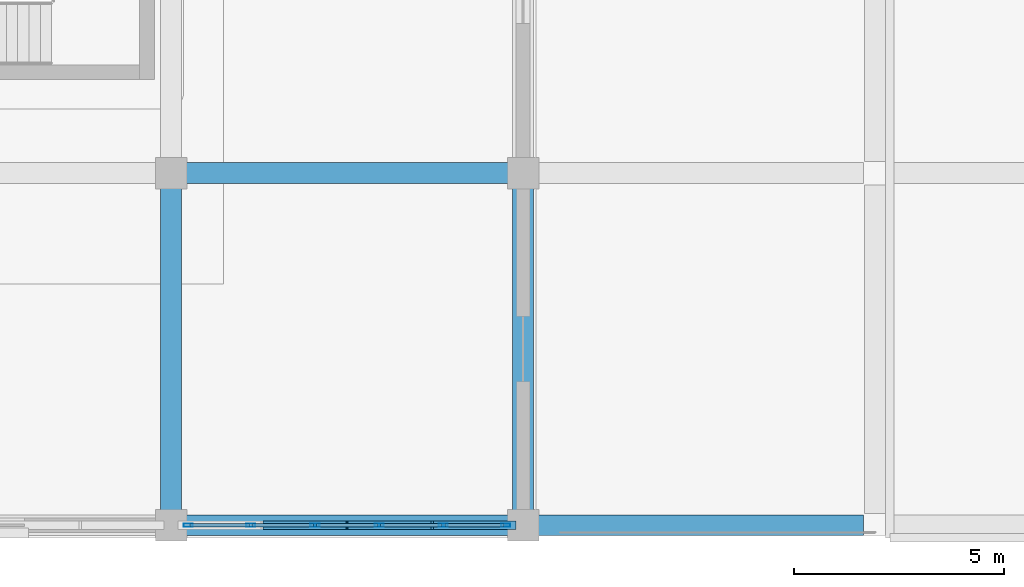
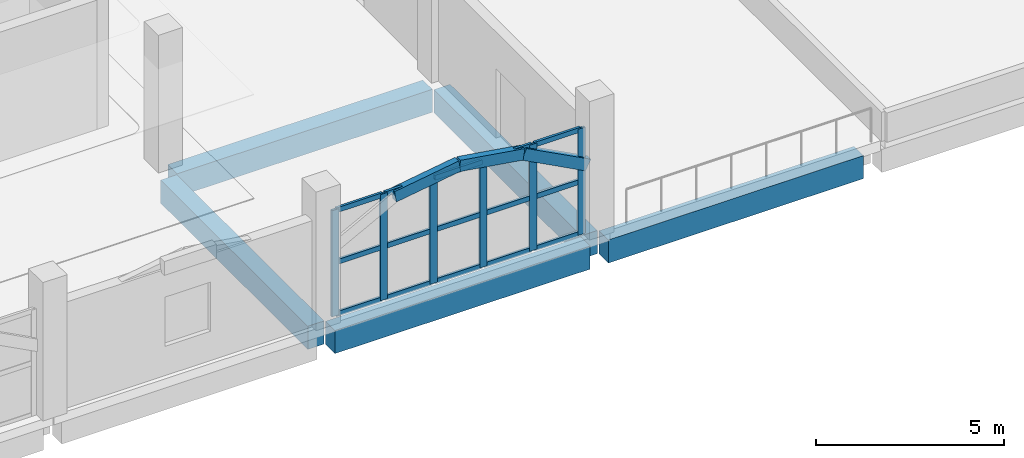
# One storey, part 10 of 34: 24 members, 5 beams, 1 element without a shape of its own.
"""IFC4 building model written with IfcOpenShell, lengths in metres."""

from ifc_helpers import new_model, si_unit, direction, frame, origin, origin_2d, place, context, subcontext, project, spatial, rectangle, hollow_rectangle, extrude, material, layer, layer_set, material_profile, profile_set, type_object, element, aggregate, save


model = new_model("IFC4")

# Units and contexts
model_context = context("Model", 3, precision=1e-05, world=origin(), true_north=direction((0.0, 1.0)))
body_context = subcontext(model_context, "Body", "Model", "MODEL_VIEW")
ifc_project = project(units=[si_unit("LENGTHUNIT", "METRE"), si_unit("AREAUNIT", "SQUARE_METRE"), si_unit("VOLUMEUNIT", "CUBIC_METRE"), si_unit("PLANEANGLEUNIT", "RADIAN"), si_unit("MASSUNIT", "GRAM", prefix="KILO")], contexts=[model_context])

# Site, building, storey
site_placement = place(None, origin())
site = spatial("IfcSite", under=ifc_project, at=site_placement, CompositionType="ELEMENT")
building_placement = place(site_placement, origin())
building = spatial("IfcBuilding", under=site, at=building_placement, Name="Xazarin Passage Department Store", CompositionType="ELEMENT")
storey_placement = place(building_placement, frame((0.0, 0.0, 18.89990234375)))
storey = spatial("IfcBuildingStorey", under=building, at=storey_placement, Name="L04", CompositionType="ELEMENT", Elevation=18.89990234375)

# Curtain wall, members
ifc_material_1 = material(Name="Bronze anodised aluminium", Category="aluminium")
ifc_layer = layer(ifc_material_1, 0.199951171875)
ifc_layer_set = layer_set([ifc_layer], Name="Bronze anodised aluminium")
curtain_wall_type = type_object("IfcCurtainWallType", Name="ARC-CW-VIT2", PredefinedType="NOTDEFINED", material=ifc_layer_set)
curtain_wall_placement = place(storey_placement, origin())
curtain_wall = element("IfcCurtainWall", 1, at=curtain_wall_placement, inside=storey, type_object=curtain_wall_type, Name="L04 V1 Curtain Wall 069", PredefinedType="NOTDEFINED")
ifc_material_profile_1 = material_profile(ifc_material_1, hollow_rectangle(XDim=0.074951171875, YDim=0.219970703125, WallThickness=0.0048828125, at=origin_2d()), Name="ALU 75x220")
ifc_profile_set_1 = profile_set([ifc_material_profile_1], Name="Bronze anodised aluminium")
member_type_1 = type_object("IfcMemberType", Name="ARC-CWM-75x220", PredefinedType="MULLION", material=ifc_profile_set_1)
member_1_placement = place(storey_placement, frame((34.012451171875, 68.0, 0.0), z_axis=(0.0, 0.0, 1.0), x_axis=(0.0, 1.0, 0.0)))
member_1 = element("IfcMember", 2, at=member_1_placement, type_object=member_type_1, Name="CW2 mullion 1", PredefinedType="MULLION", context=body_context, shape_type="SweptSolid", body=[
    extrude(hollow_rectangle(XDim=0.074951171875, YDim=0.219970703125, WallThickness=0.0048828125, at=origin_2d()), origin(), (0.0, 0.0, 1.0), 3.4501953125),
])
member_2_placement = place(storey_placement, frame((35.5048828125, 68.0, 0.0), z_axis=(0.0, 0.0, 1.0), x_axis=(0.0, 1.0, 0.0)))
member_2 = element("IfcMember", 3, at=member_2_placement, type_object=member_type_1, Name="CW2 mullion 2", PredefinedType="MULLION", context=body_context, shape_type="SweptSolid", body=[
    extrude(hollow_rectangle(XDim=0.074951171875, YDim=0.219970703125, WallThickness=0.0048828125, at=origin_2d()), origin(), (0.0, 0.0, 1.0), 3.4501953125),
])
member_3_placement = place(storey_placement, frame((37.034912109375, 68.0, 0.0), z_axis=(0.0, 0.0, 1.0), x_axis=(0.0, 1.0, 0.0)))
member_3 = element("IfcMember", 4, at=member_3_placement, type_object=member_type_1, Name="CW2 mullion 3", PredefinedType="MULLION", context=body_context, shape_type="SweptSolid", body=[
    extrude(hollow_rectangle(XDim=0.074951171875, YDim=0.219970703125, WallThickness=0.0048828125, at=origin_2d()), origin(), (0.0, 0.0, 1.0), 3.4501953125),
])
member_4_placement = place(storey_placement, frame((38.56494140625, 68.0, 0.0), z_axis=(0.0, 0.0, 1.0), x_axis=(0.0, 1.0, 0.0)))
member_4 = element("IfcMember", 5, at=member_4_placement, type_object=member_type_1, Name="CW2 mullion 4", PredefinedType="MULLION", context=body_context, shape_type="SweptSolid", body=[
    extrude(hollow_rectangle(XDim=0.074951171875, YDim=0.219970703125, WallThickness=0.0048828125, at=origin_2d()), origin(), (0.0, 0.0, 1.0), 3.4501953125),
])
member_5_placement = place(storey_placement, frame((40.094970703125, 68.0, 0.0), z_axis=(0.0, 0.0, 1.0), x_axis=(0.0, 1.0, 0.0)))
member_5 = element("IfcMember", 6, at=member_5_placement, type_object=member_type_1, Name="CW2 mullion 5", PredefinedType="MULLION", context=body_context, shape_type="SweptSolid", body=[
    extrude(hollow_rectangle(XDim=0.074951171875, YDim=0.219970703125, WallThickness=0.0048828125, at=origin_2d()), origin(), (0.0, 0.0, 1.0), 3.4501953125),
])
member_6_placement = place(storey_placement, frame((41.58740234375, 68.0, 0.0), z_axis=(0.0, 0.0, 1.0), x_axis=(0.0, 1.0, 0.0)))
member_6 = element("IfcMember", 7, at=member_6_placement, type_object=member_type_1, Name="CW2 mullion 6", PredefinedType="MULLION", context=body_context, shape_type="SweptSolid", body=[
    extrude(hollow_rectangle(XDim=0.074951171875, YDim=0.219970703125, WallThickness=0.0048828125, at=origin_2d()), origin(), (0.0, 0.0, 1.0), 3.4501953125),
])
ifc_material_profile_2 = material_profile(ifc_material_1, hollow_rectangle(XDim=0.074951171875, YDim=0.159912109375, WallThickness=0.00439453125, at=origin_2d()), Name="ALU 75x160")
ifc_profile_set_2 = profile_set([ifc_material_profile_2], Name="Bronze anodised aluminium")
member_type_2 = type_object("IfcMemberType", Name="ARC-CWT-75x160", PredefinedType="USERDEFINED", material=ifc_profile_set_2)
member_7_placement = place(storey_placement, frame((34.050048828125, 68.0, 0.03759765625), z_axis=(1.0, 0.0, 0.0), x_axis=(0.0, 1.0, 0.0)))
member_7 = element("IfcMember", 8, at=member_7_placement, type_object=member_type_2, Name="CW2 transom 1.1", ObjectType="TRANSOM", PredefinedType="USERDEFINED", context=body_context, shape_type="SweptSolid", body=[
    extrude(hollow_rectangle(XDim=0.074951171875, YDim=0.159912109375, WallThickness=0.00439453125, at=origin_2d()), origin(), (0.0, 0.0, 1.0), 1.41748046875),
])
member_8_placement = place(storey_placement, frame((34.050048828125, 68.0, 1.72509765625), z_axis=(1.0, 0.0, 0.0), x_axis=(0.0, 1.0, 0.0)))
member_8 = element("IfcMember", 9, at=member_8_placement, type_object=member_type_2, Name="CW2 transom 1.2", ObjectType="TRANSOM", PredefinedType="USERDEFINED", context=body_context, shape_type="SweptSolid", body=[
    extrude(hollow_rectangle(XDim=0.074951171875, YDim=0.159912109375, WallThickness=0.00439453125, at=origin_2d()), origin(), (0.0, 0.0, 1.0), 1.41748046875),
])
member_9_placement = place(storey_placement, frame((34.050048828125, 68.0, 3.41259765625), z_axis=(1.0, 0.0, 0.0), x_axis=(0.0, 1.0, 0.0)))
member_9 = element("IfcMember", 10, at=member_9_placement, type_object=member_type_2, Name="CW2 transom 1.3", ObjectType="TRANSOM", PredefinedType="USERDEFINED", context=body_context, shape_type="SweptSolid", body=[
    extrude(hollow_rectangle(XDim=0.074951171875, YDim=0.159912109375, WallThickness=0.00439453125, at=origin_2d()), origin(), (0.0, 0.0, 1.0), 1.41748046875),
])
member_10_placement = place(storey_placement, frame((35.54248046875, 68.0, 0.03759765625), z_axis=(1.0, 0.0, 0.0), x_axis=(0.0, 1.0, 0.0)))
member_10 = element("IfcMember", 11, at=member_10_placement, type_object=member_type_2, Name="CW2 transom 2.1", ObjectType="TRANSOM", PredefinedType="USERDEFINED", context=body_context, shape_type="SweptSolid", body=[
    extrude(hollow_rectangle(XDim=0.074951171875, YDim=0.159912109375, WallThickness=0.00439453125, at=origin_2d()), origin(), (0.0, 0.0, 1.0), 1.455078125),
])
member_11_placement = place(storey_placement, frame((35.54248046875, 68.0, 1.72509765625), z_axis=(1.0, 0.0, 0.0), x_axis=(0.0, 1.0, 0.0)))
member_11 = element("IfcMember", 12, at=member_11_placement, type_object=member_type_2, Name="CW2 transom 2.2", ObjectType="TRANSOM", PredefinedType="USERDEFINED", context=body_context, shape_type="SweptSolid", body=[
    extrude(hollow_rectangle(XDim=0.074951171875, YDim=0.159912109375, WallThickness=0.00439453125, at=origin_2d()), origin(), (0.0, 0.0, 1.0), 1.455078125),
])
member_12_placement = place(storey_placement, frame((35.54248046875, 68.0, 3.41259765625), z_axis=(1.0, 0.0, 0.0), x_axis=(0.0, 1.0, 0.0)))
member_12 = element("IfcMember", 13, at=member_12_placement, type_object=member_type_2, Name="CW2 transom 2.3", ObjectType="TRANSOM", PredefinedType="USERDEFINED", context=body_context, shape_type="SweptSolid", body=[
    extrude(hollow_rectangle(XDim=0.074951171875, YDim=0.159912109375, WallThickness=0.00439453125, at=origin_2d()), origin(), (0.0, 0.0, 1.0), 1.455078125),
])
member_13_placement = place(storey_placement, frame((37.072509765625, 68.0, 0.03759765625), z_axis=(1.0, 0.0, 0.0), x_axis=(0.0, 1.0, 0.0)))
member_13 = element("IfcMember", 14, at=member_13_placement, type_object=member_type_2, Name="CW2 transom 3.1", ObjectType="TRANSOM", PredefinedType="USERDEFINED", context=body_context, shape_type="SweptSolid", body=[
    extrude(hollow_rectangle(XDim=0.074951171875, YDim=0.159912109375, WallThickness=0.00439453125, at=origin_2d()), origin(), (0.0, 0.0, 1.0), 1.455078125),
])
member_14_placement = place(storey_placement, frame((37.072509765625, 68.0, 1.72509765625), z_axis=(1.0, 0.0, 0.0), x_axis=(0.0, 1.0, 0.0)))
member_14 = element("IfcMember", 15, at=member_14_placement, type_object=member_type_2, Name="CW2 transom 3.2", ObjectType="TRANSOM", PredefinedType="USERDEFINED", context=body_context, shape_type="SweptSolid", body=[
    extrude(hollow_rectangle(XDim=0.074951171875, YDim=0.159912109375, WallThickness=0.00439453125, at=origin_2d()), origin(), (0.0, 0.0, 1.0), 1.455078125),
])
member_15_placement = place(storey_placement, frame((37.072509765625, 68.0, 3.41259765625), z_axis=(1.0, 0.0, 0.0), x_axis=(0.0, 1.0, 0.0)))
member_15 = element("IfcMember", 16, at=member_15_placement, type_object=member_type_2, Name="CW2 transom 3.3", ObjectType="TRANSOM", PredefinedType="USERDEFINED", context=body_context, shape_type="SweptSolid", body=[
    extrude(hollow_rectangle(XDim=0.074951171875, YDim=0.159912109375, WallThickness=0.00439453125, at=origin_2d()), origin(), (0.0, 0.0, 1.0), 1.455078125),
])
member_16_placement = place(storey_placement, frame((38.6025390625, 68.0, 0.03759765625), z_axis=(1.0, 0.0, 0.0), x_axis=(0.0, 1.0, 0.0)))
member_16 = element("IfcMember", 17, at=member_16_placement, type_object=member_type_2, Name="CW2 transom 4.1", ObjectType="TRANSOM", PredefinedType="USERDEFINED", context=body_context, shape_type="SweptSolid", body=[
    extrude(hollow_rectangle(XDim=0.074951171875, YDim=0.159912109375, WallThickness=0.00439453125, at=origin_2d()), origin(), (0.0, 0.0, 1.0), 1.455078125),
])
member_17_placement = place(storey_placement, frame((38.6025390625, 68.0, 1.72509765625), z_axis=(1.0, 0.0, 0.0), x_axis=(0.0, 1.0, 0.0)))
member_17 = element("IfcMember", 18, at=member_17_placement, type_object=member_type_2, Name="CW2 transom 4.2", ObjectType="TRANSOM", PredefinedType="USERDEFINED", context=body_context, shape_type="SweptSolid", body=[
    extrude(hollow_rectangle(XDim=0.074951171875, YDim=0.159912109375, WallThickness=0.00439453125, at=origin_2d()), origin(), (0.0, 0.0, 1.0), 1.455078125),
])
member_18_placement = place(storey_placement, frame((38.6025390625, 68.0, 3.41259765625), z_axis=(1.0, 0.0, 0.0), x_axis=(0.0, 1.0, 0.0)))
member_18 = element("IfcMember", 19, at=member_18_placement, type_object=member_type_2, Name="CW2 transom 4.3", ObjectType="TRANSOM", PredefinedType="USERDEFINED", context=body_context, shape_type="SweptSolid", body=[
    extrude(hollow_rectangle(XDim=0.074951171875, YDim=0.159912109375, WallThickness=0.00439453125, at=origin_2d()), origin(), (0.0, 0.0, 1.0), 1.455078125),
])
member_19_placement = place(storey_placement, frame((40.132568359375, 68.0, 0.03759765625), z_axis=(1.0, 0.0, 0.0), x_axis=(0.0, 1.0, 0.0)))
member_19 = element("IfcMember", 20, at=member_19_placement, type_object=member_type_2, Name="CW2 transom 5.1", ObjectType="TRANSOM", PredefinedType="USERDEFINED", context=body_context, shape_type="SweptSolid", body=[
    extrude(hollow_rectangle(XDim=0.074951171875, YDim=0.159912109375, WallThickness=0.00439453125, at=origin_2d()), origin(), (0.0, 0.0, 1.0), 1.41748046875),
])
member_20_placement = place(storey_placement, frame((40.132568359375, 68.0, 1.72509765625), z_axis=(1.0, 0.0, 0.0), x_axis=(0.0, 1.0, 0.0)))
member_20 = element("IfcMember", 21, at=member_20_placement, type_object=member_type_2, Name="CW2 transom 5.2", ObjectType="TRANSOM", PredefinedType="USERDEFINED", context=body_context, shape_type="SweptSolid", body=[
    extrude(hollow_rectangle(XDim=0.074951171875, YDim=0.159912109375, WallThickness=0.00439453125, at=origin_2d()), origin(), (0.0, 0.0, 1.0), 1.41748046875),
])
member_21_placement = place(storey_placement, frame((40.132568359375, 68.0, 3.41259765625), z_axis=(1.0, 0.0, 0.0), x_axis=(0.0, 1.0, 0.0)))
member_21 = element("IfcMember", 22, at=member_21_placement, type_object=member_type_2, Name="CW2 transom 5.3", ObjectType="TRANSOM", PredefinedType="USERDEFINED", context=body_context, shape_type="SweptSolid", body=[
    extrude(hollow_rectangle(XDim=0.074951171875, YDim=0.159912109375, WallThickness=0.00439453125, at=origin_2d()), origin(), (0.0, 0.0, 1.0), 1.41748046875),
])
aggregate(curtain_wall, [member_1, member_2, member_3, member_4, member_5, member_6, member_7, member_8, member_9, member_10, member_11, member_12, member_13, member_14, member_15, member_16, member_17, member_18, member_19, member_20, member_21])

# Beams
ifc_material_2 = material(Name="Concrete C35/45", Category="concrete")
ifc_material_profile_3 = material_profile(ifc_material_2, rectangle(XDim=0.5, YDim=0.75, at=origin_2d()), Name="RC 500x750")
ifc_profile_set_3 = profile_set([ifc_material_profile_3], Name="Concrete C35/45")
beam_type = type_object("IfcBeamType", Name="STR-BM-SP500x750", PredefinedType="SPANDREL", material=ifc_profile_set_3)
for number, where, z_axis, x_axis, name in (
    (23, (33.8798828125, 68.0, -0.6748046875), (1.0, 0.0, 0.0), (0.0, 1.0, 0.0), "L04 Grid Beam K/5-6"),
    (24, (42.280029296875, 68.0, -0.6748046875), (1.0, 0.0, 0.0), (0.0, 1.0, 0.0), "L04 Grid Beam K/6-7"),
    (25, (33.8798828125, 76.39990234375, -0.6748046875), (1.0, 0.0, 0.0), (0.0, 1.0, 0.0), "L04 Grid Beam L/5-6"),
    (26, (33.60009765625, 68.280029296875, -0.6748046875), (0.0, 1.0, 0.0), (-1.0, 0.0, 0.0), "L04 Grid Beam 5/K-L"),
    (27, (42.0, 68.280029296875, -0.6748046875), (0.0, 1.0, 0.0), (-1.0, 0.0, 0.0), "L04 Grid Beam 6/K-L"),
):
    element("IfcBeam", number, at=place(storey_placement, frame(where, z_axis=z_axis, x_axis=x_axis)), inside=storey, type_object=beam_type, Name=name, PredefinedType="SPANDREL", context=body_context, shape_type="SweptSolid", body=[
        extrude(rectangle(XDim=0.5, YDim=0.75, at=origin_2d()), origin(), (0.0, 0.0, 1.0), 7.840087890625),
    ])

# Members
ifc_material_3 = material(Name="Concrete C40/50", Category="concrete")
ifc_material_profile_4 = material_profile(ifc_material_3, rectangle(XDim=0.199951171875, YDim=0.360107421875, at=origin_2d()), Name="RC 200x360")
ifc_profile_set_4 = profile_set([ifc_material_profile_4], Name="Concrete C40/50")
member_type_3 = type_object("IfcMemberType", Name="STR-MEM-ARC360", PredefinedType="CHORD", material=ifc_profile_set_4)
member_22_placement = place(storey_placement, frame((35.824951171875, 68.0, 3.2705078125), z_axis=(0.987938581312, 0.0, 0.154846244883), x_axis=(0.0, 1.0, 0.0)))
element("IfcMember", 28, at=member_22_placement, inside=storey, type_object=member_type_3, Name="L04 V1 Upper Setback Pierced Arch 024.2", PredefinedType="CHORD", context=body_context, shape_type="SweptSolid", body=[
    extrude(rectangle(XDim=0.199951171875, YDim=0.360107421875, at=origin_2d()), origin(), (0.0, 0.0, 1.0), 1.999267578125),
])
member_23_placement = place(storey_placement, frame((37.800048828125, 68.0, 3.580078125), z_axis=(0.987935652704, 0.0, -0.154864928623), x_axis=(0.0, 1.0, 0.0)))
element("IfcMember", 29, at=member_23_placement, inside=storey, type_object=member_type_3, Name="L04 V1 Upper Setback Pierced Arch 024.3", PredefinedType="CHORD", context=body_context, shape_type="SweptSolid", body=[
    extrude(rectangle(XDim=0.199951171875, YDim=0.360107421875, at=origin_2d()), origin(), (0.0, 0.0, 1.0), 1.9990234375),
])
member_24_placement = place(storey_placement, frame((39.77490234375, 68.0, 3.2705078125), z_axis=(0.88473311603, 0.0, -0.466097965454), x_axis=(0.0, 1.0, 0.0)))
element("IfcMember", 30, at=member_24_placement, inside=storey, type_object=member_type_3, Name="L04 V1 Upper Setback Pierced Arch 024.4", PredefinedType="CHORD", context=body_context, shape_type="SweptSolid", body=[
    extrude(rectangle(XDim=0.199951171875, YDim=0.360107421875, at=origin_2d()), origin(), (0.0, 0.0, 1.0), 2.232421875),
])

save(model, "model.ifc")
